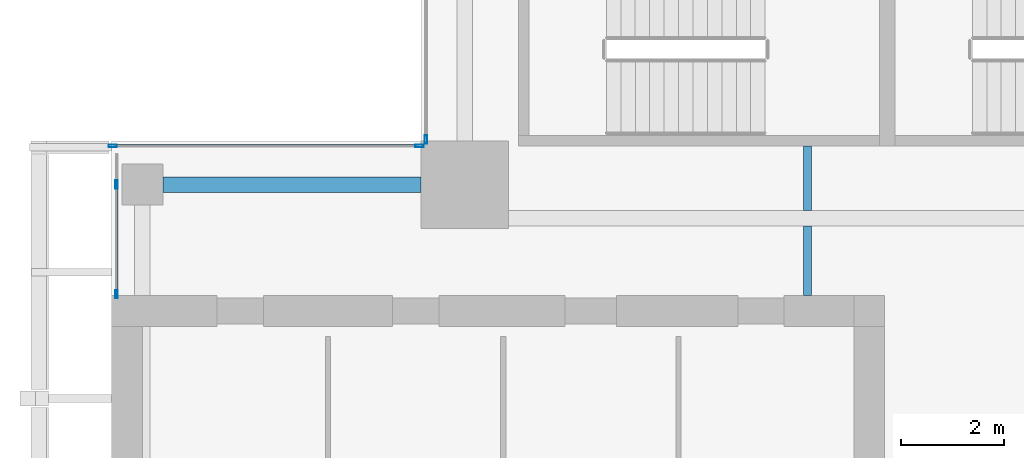
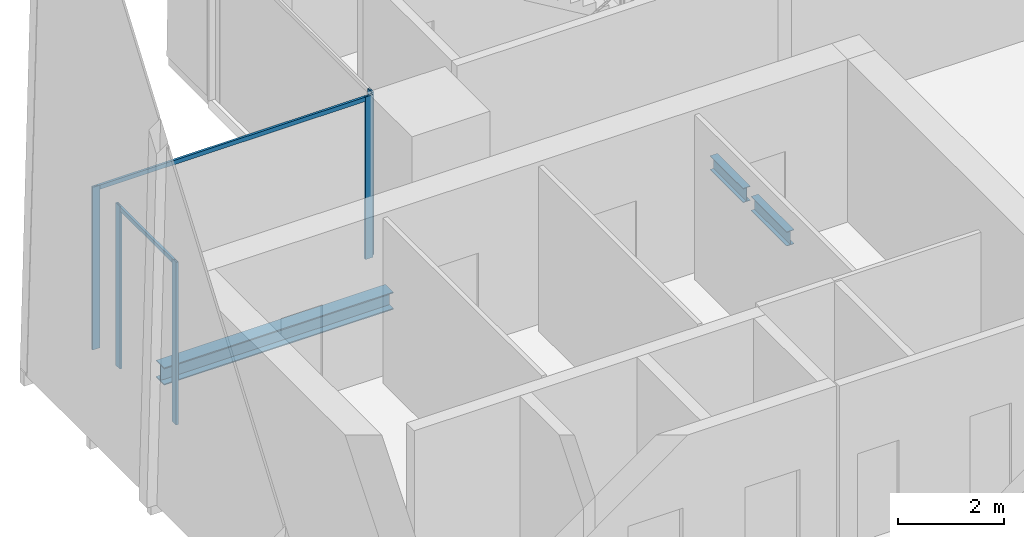
# One storey, part 13 of 32: 7 members, 3 beams, 3 elements without a shape of their own.
"""IFC4 building model written with IfcOpenShell, lengths in metres."""

from ifc_helpers import new_model, si_unit, direction, frame, origin, origin_2d, place, context, subcontext, project, spatial, hollow_rectangle, i_section, extrude, source, transform, mapped, material, material_profile, profile_set, type_object, element, aggregate, save


model = new_model("IFC4")

# Units and contexts
model_context = context("Model", 3, precision=1e-05, world=origin(), true_north=direction((0.0, 1.0)))
body_context = subcontext(model_context, "Body", "Model", "MODEL_VIEW")
ifc_project = project(units=[si_unit("LENGTHUNIT", "METRE"), si_unit("AREAUNIT", "SQUARE_METRE"), si_unit("VOLUMEUNIT", "CUBIC_METRE"), si_unit("PLANEANGLEUNIT", "RADIAN"), si_unit("MASSUNIT", "GRAM", prefix="KILO")], contexts=[model_context])

# Site, building, storey
site_placement = place(None, origin())
site = spatial("IfcSite", under=ifc_project, at=site_placement, CompositionType="ELEMENT")
building_placement = place(site_placement, origin())
building = spatial("IfcBuilding", under=site, at=building_placement, Name="Khomas Fold Tower", CompositionType="ELEMENT")
storey_placement = place(building_placement, frame((0.0, 0.0, 318.199951171875)))
storey = spatial("IfcBuildingStorey", under=building, at=storey_placement, Name="L72", CompositionType="ELEMENT", Elevation=318.199951171875)

# Beams
ifc_material_1 = material(Name="Steel S355", Category="steel")
ifc_material_profile_1 = material_profile(ifc_material_1, i_section(OverallWidth=0.159912109375, OverallDepth=0.330078125, WebThickness=0.007568359375, FlangeThickness=0.011474609375, at=origin_2d()), Name="IPE 330")
ifc_profile_set_1 = profile_set([ifc_material_profile_1], Name="Steel S355")
beam_type_1 = type_object("IfcBeamType", Name="IPE 330 beam JB1", PredefinedType="BEAM", material=ifc_profile_set_1)
shared_shape_1 = source(origin(), body_context, "Body", "SweptSolid", [
    extrude(i_section(OverallWidth=0.159912109375, OverallDepth=0.330078125, WebThickness=0.007568359375, FlangeThickness=0.011474609375, at=origin_2d()), origin(), (0.0, 0.0, 1.0), 1.25),
])
beam_1_placement = place(storey_placement, frame((19.5, 40.64990234375, -0.4150390625), z_axis=(0.0, 1.0, 0.0), x_axis=(-1.0, 0.0, 0.0)))
element("IfcBeam", 1, at=beam_1_placement, inside=storey, type_object=beam_type_1, Name="JB1", PredefinedType="BEAM", context=body_context, shape_type="MappedRepresentation", body=[
    mapped(shared_shape_1, transform((0.0, 0.0, 0.0))),
])
shared_shape_2 = source(origin(), body_context, "Body", "SweptSolid", [
    extrude(i_section(OverallWidth=0.159912109375, OverallDepth=0.330078125, WebThickness=0.007568359375, FlangeThickness=0.011474609375, at=origin_2d()), origin(), (0.0, 0.0, 1.0), 1.35009765625),
])
beam_2_placement = place(storey_placement, frame((19.5, 39.0, -0.4150390625), z_axis=(0.0, 1.0, 0.0), x_axis=(-1.0, 0.0, 0.0)))
element("IfcBeam", 2, at=beam_2_placement, inside=storey, type_object=beam_type_1, Name="JB1", PredefinedType="BEAM", context=body_context, shape_type="MappedRepresentation", body=[
    mapped(shared_shape_2, transform((0.0, 0.0, 0.0))),
])
ifc_material_2 = material(Name="Steel S355", Category="steel")
ifc_material_profile_2 = material_profile(ifc_material_2, i_section(OverallWidth=0.300048828125, OverallDepth=0.39990234375, WebThickness=0.013427734375, FlangeThickness=0.02392578125, at=origin_2d()), Name="HE 400 B")
ifc_profile_set_2 = profile_set([ifc_material_profile_2], Name="Steel S355")
beam_type_2 = type_object("IfcBeamType", Name="HE 400 B spandrel SB5", PredefinedType="SPANDREL", material=ifc_profile_set_2)
shared_shape_3 = source(origin(), body_context, "Body", "SweptSolid", [
    extrude(i_section(OverallWidth=0.300048828125, OverallDepth=0.39990234375, WebThickness=0.013427734375, FlangeThickness=0.02392578125, at=origin_2d()), origin(), (0.0, 0.0, 1.0), 5.0),
])
beam_3_placement = place(storey_placement, frame((7.0, 41.14990234375, -0.449951171875), z_axis=(1.0, 0.0, 0.0), x_axis=(0.0, 1.0, 0.0)))
element("IfcBeam", 3, at=beam_3_placement, inside=storey, type_object=beam_type_2, Name="SB5", PredefinedType="SPANDREL", context=body_context, shape_type="MappedRepresentation", body=[
    mapped(shared_shape_3, transform((0.0, 0.0, 0.0))),
])

# Curtain wall, member
ifc_material_3 = material(Name="Aluminium framed double glazing", Category="aluminium")
curtain_wall_type = type_object("IfcCurtainWallType", Name="SK-Unitised clear-glass wall, upper floors CW3", PredefinedType="NOTDEFINED", material=ifc_material_3)
curtain_wall_1_placement = place(storey_placement, origin())
curtain_wall_1 = element("IfcCurtainWall", 4, at=curtain_wall_1_placement, inside=storey, type_object=curtain_wall_type, Name="CW3 corner return L72 07", PredefinedType="NOTDEFINED")
ifc_material_4 = material(Name="Aluminium", Category="aluminium")
ifc_material_profile_3 = material_profile(ifc_material_4, hollow_rectangle(XDim=0.050048828125, YDim=0.159912109375, WallThickness=0.00390625, at=origin_2d()), Name="SK-Unitised clear-glass wall, upper floors mullion CW3-M")
ifc_profile_set_3 = profile_set([ifc_material_profile_3], Name="Aluminium")
member_type_1 = type_object("IfcMemberType", Name="SK-Unitised clear-glass wall, upper floors mullion CW3-M", PredefinedType="MULLION", material=ifc_profile_set_3)
shared_shape_4 = source(origin(), body_context, "Body", "SweptSolid", [
    extrude(hollow_rectangle(XDim=0.050048828125, YDim=0.159912109375, WallThickness=0.00390625, at=origin_2d()), origin(), (0.0, 0.0, 1.0), 3.75),
])
member_1_placement = place(storey_placement, frame((12.10009765625, 42.02490234375, 0.0), z_axis=(0.0, 0.0, 1.0), x_axis=(1.0, 0.0, 0.0)))
member_1 = element("IfcMember", 5, at=member_1_placement, type_object=member_type_1, Name="CW3 mullion 2", PredefinedType="MULLION", context=body_context, shape_type="MappedRepresentation", body=[
    mapped(shared_shape_4, transform((0.0, 0.0, 0.0))),
])
aggregate(curtain_wall_1, [member_1])

# Curtain wall, members
curtain_wall_2_placement = place(storey_placement, origin())
curtain_wall_2 = element("IfcCurtainWall", 6, at=curtain_wall_2_placement, inside=storey, type_object=curtain_wall_type, Name="CW3 corner return L72 08", PredefinedType="NOTDEFINED")
member_2_placement = place(storey_placement, frame((11.97509765625, 41.89990234375, 0.0), z_axis=(0.0, 0.0, 1.0), x_axis=(0.0, -1.0, 0.0)))
member_2 = element("IfcMember", 7, at=member_2_placement, type_object=member_type_1, Name="CW3 mullion 1", PredefinedType="MULLION", context=body_context, shape_type="MappedRepresentation", body=[
    mapped(shared_shape_4, transform((0.0, 0.0, 0.0))),
])
member_3_placement = place(storey_placement, frame((6.02490234375, 41.89990234375, 0.0), z_axis=(0.0, 0.0, 1.0), x_axis=(0.0, -1.0, 0.0)))
member_3 = element("IfcMember", 8, at=member_3_placement, type_object=member_type_1, Name="CW3 mullion 2", PredefinedType="MULLION", context=body_context, shape_type="MappedRepresentation", body=[
    mapped(shared_shape_4, transform((0.0, 0.0, 0.0))),
])

curtain_wall_3_placement = place(storey_placement, origin())
curtain_wall_3 = element("IfcCurtainWall", 9, at=curtain_wall_3_placement, inside=storey, type_object=curtain_wall_type, Name="CW3 run L72 09-0", PredefinedType="NOTDEFINED")
member_4_placement = place(storey_placement, frame((6.10009765625, 41.14990234375, 0.0), z_axis=(0.0, 0.0, 1.0), x_axis=(1.0, 0.0, 0.0)))
member_4 = element("IfcMember", 10, at=member_4_placement, type_object=member_type_1, Name="CW3 mullion 2", PredefinedType="MULLION", context=body_context, shape_type="MappedRepresentation", body=[
    mapped(shared_shape_4, transform((0.0, 0.0, 0.0))),
])
member_5_placement = place(storey_placement, frame((6.10009765625, 39.02490234375, 0.0), z_axis=(0.0, 0.0, 1.0), x_axis=(1.0, 0.0, 0.0)))
member_5 = element("IfcMember", 11, at=member_5_placement, type_object=member_type_1, Name="CW3 mullion 3", PredefinedType="MULLION", context=body_context, shape_type="MappedRepresentation", body=[
    mapped(shared_shape_4, transform((0.0, 0.0, 0.0))),
])

# Member
ifc_material_5 = material(Name="Aluminium", Category="aluminium")
ifc_material_profile_4 = material_profile(ifc_material_5, hollow_rectangle(XDim=0.050048828125, YDim=0.10009765625, WallThickness=0.00390625, at=origin_2d()), Name="SK-Unitised clear-glass wall, upper floors transom CW3-T")
ifc_profile_set_4 = profile_set([ifc_material_profile_4], Name="Aluminium")
member_type_2 = type_object("IfcMemberType", Name="SK-Unitised clear-glass wall, upper floors transom CW3-T", PredefinedType="USERDEFINED", material=ifc_profile_set_4)
shared_shape_5 = source(origin(), body_context, "Body", "SweptSolid", [
    extrude(hollow_rectangle(XDim=0.050048828125, YDim=0.10009765625, WallThickness=0.00390625, at=origin_2d()), origin(), (0.0, 0.0, 1.0), 5.89990234375),
])
member_6_placement = place(storey_placement, frame((11.949951171875, 41.89990234375, 3.699951171875), z_axis=(-1.0, 0.0, 0.0), x_axis=(0.0, -1.0, 0.0)))
member_6 = element("IfcMember", 12, at=member_6_placement, type_object=member_type_2, Name="CW3 transom 1", ObjectType="TRANSOM", PredefinedType="USERDEFINED", context=body_context, shape_type="MappedRepresentation", body=[
    mapped(shared_shape_5, transform((0.0, 0.0, 0.0))),
])

aggregate(curtain_wall_2, [member_2, member_3, member_6])

shared_shape_6 = source(origin(), body_context, "Body", "SweptSolid", [
    extrude(hollow_rectangle(XDim=0.050048828125, YDim=0.10009765625, WallThickness=0.00390625, at=origin_2d()), origin(), (0.0, 0.0, 1.0), 2.074951171875),
])
member_7_placement = place(storey_placement, frame((6.10009765625, 41.125, 3.699951171875), z_axis=(0.0, -1.0, 0.0), x_axis=(1.0, 0.0, 0.0)))
member_7 = element("IfcMember", 13, at=member_7_placement, type_object=member_type_2, Name="CW3 transom 2", ObjectType="TRANSOM", PredefinedType="USERDEFINED", context=body_context, shape_type="MappedRepresentation", body=[
    mapped(shared_shape_6, transform((0.0, 0.0, 0.0))),
])

aggregate(curtain_wall_3, [member_4, member_5, member_7])

save(model, "model.ifc")
